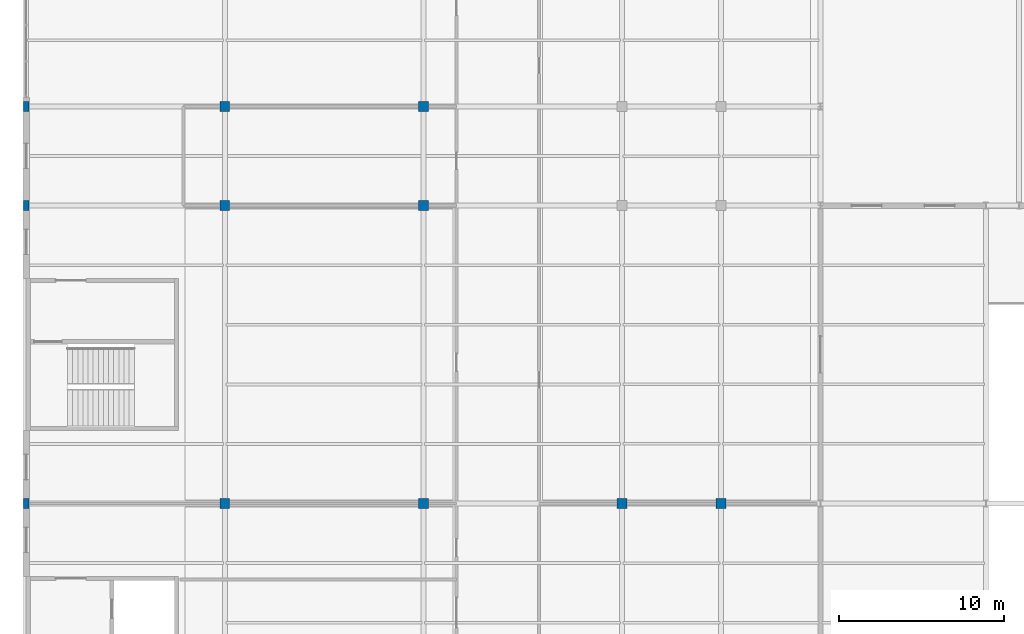
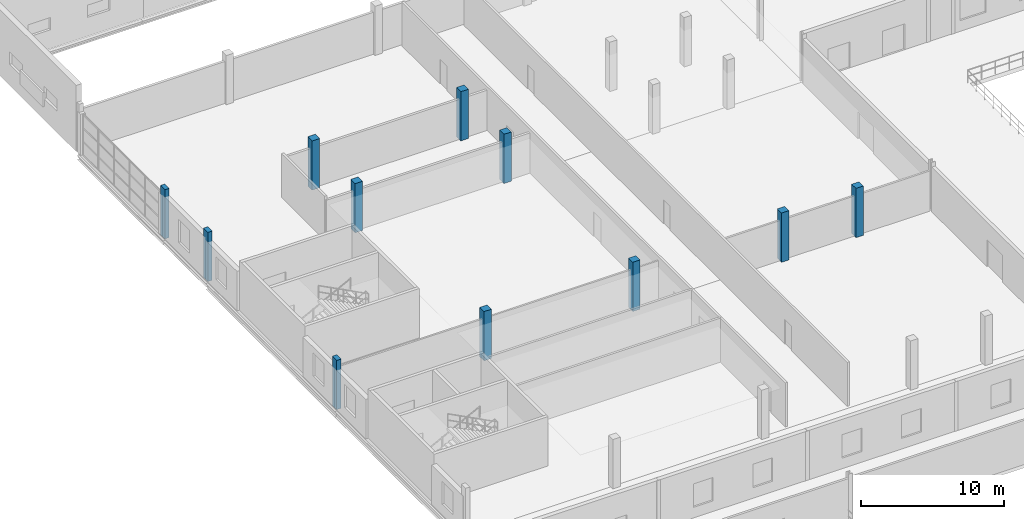
# One storey, part 10 of 147: 11 columns.
"""IFC4 building model written with IfcOpenShell, lengths in metres."""

from ifc_helpers import new_model, si_unit, direction, frame, origin, origin_2d, place, context, subcontext, project, spatial, rectangle, extrude, material, material_profile, profile_set, type_object, element, save


model = new_model("IFC4")

# Units and contexts
model_context = context("Model", 3, precision=1e-05, world=origin(), true_north=direction((0.0, 1.0)))
body_context = subcontext(model_context, "Body", "Model", "MODEL_VIEW")
ifc_project = project(units=[si_unit("LENGTHUNIT", "METRE"), si_unit("AREAUNIT", "SQUARE_METRE"), si_unit("VOLUMEUNIT", "CUBIC_METRE"), si_unit("PLANEANGLEUNIT", "RADIAN"), si_unit("MASSUNIT", "GRAM", prefix="KILO")], contexts=[model_context])

# Site, building, storey
site_placement = place(None, origin())
site = spatial("IfcSite", under=ifc_project, at=site_placement, CompositionType="ELEMENT")
building_placement = place(site_placement, origin())
building = spatial("IfcBuilding", under=site, at=building_placement, Name="Zilviju Railside Exhibition Hall", CompositionType="ELEMENT")
storey_placement = place(building_placement, frame((0.0, 0.0, 8.39990234375)))
storey = spatial("IfcBuildingStorey", under=building, at=storey_placement, Name="L03", CompositionType="ELEMENT", Elevation=8.39990234375)

# Columns
ifc_material = material(Name="Concrete C35/45", Category="concrete")
ifc_material_profile_1 = material_profile(ifc_material, rectangle(XDim=0.60009765625, YDim=0.60009765625, at=origin_2d()), Name="RC COL 600x600")
ifc_profile_set_1 = profile_set([ifc_material_profile_1], Name="Concrete C35/45")
column_type_1 = type_object("IfcColumnType", Name="COL-RC-600", PredefinedType="COLUMN", material=ifc_profile_set_1)
for number, where, z_axis, x_axis, name in (
    (1, (12.0, 102.0, 0.0), (0.0, 0.0, 1.0), (1.0, 0.0, 0.0), "Structural Column L03 (12.0, 102.0)"),
    (2, (24.0, 102.0, 0.0), (0.0, 0.0, 1.0), (1.0, 0.0, 0.0), "Structural Column L03 (24.0, 102.0)"),
    (3, (36.0, 102.0, 0.0), (0.0, 0.0, 1.0), (1.0, 0.0, 0.0), "Structural Column L03 (36.0, 102.0)"),
    (4, (42.0, 102.0, 0.0), (0.0, 0.0, 1.0), (1.0, 0.0, 0.0), "Structural Column L03 (42.0, 102.0)"),
    (5, (12.0, 120.0, 0.0), (0.0, 0.0, 1.0), (1.0, 0.0, 0.0), "Structural Column L03 (12.0, 120.0)"),
    (6, (24.0, 120.0, 0.0), (0.0, 0.0, 1.0), (1.0, 0.0, 0.0), "Structural Column L03 (24.0, 120.0)"),
    (7, (12.0, 126.0, 0.0), (0.0, 0.0, 1.0), (1.0, 0.0, 0.0), "Structural Column L03 (12.0, 126.0)"),
    (8, (24.0, 126.0, 0.0), (0.0, 0.0, 1.0), (1.0, 0.0, 0.0), "Structural Column L03 (24.0, 126.0)"),
):
    element("IfcColumn", number, at=place(storey_placement, frame(where, z_axis=z_axis, x_axis=x_axis)), inside=storey, type_object=column_type_1, Name=name, PredefinedType="COLUMN", context=body_context, shape_type="SweptSolid", body=[
        extrude(rectangle(XDim=0.60009765625, YDim=0.60009765625, at=origin_2d()), origin(), (0.0, 0.0, 1.0), 4.2001953125),
    ])
ifc_material_profile_2 = material_profile(ifc_material, rectangle(XDim=0.35009765625, YDim=0.60009765625, at=origin_2d()), Name="RC COL 350x600")
ifc_profile_set_2 = profile_set([ifc_material_profile_2], Name="Concrete C35/45")
column_type_2 = type_object("IfcColumnType", Name="PIL-RC-600x350", PredefinedType="PILASTER", material=ifc_profile_set_2)
for number, where, z_axis, x_axis, name in (
    (9, (0.0, 102.0, 0.0), (0.0, 0.0, 1.0), (1.0, 0.0, 0.0), "Structural Column L03 (0.0, 102.0)"),
    (10, (0.0, 120.0, 0.0), (0.0, 0.0, 1.0), (1.0, 0.0, 0.0), "Structural Column L03 (0.0, 120.0)"),
    (11, (0.0, 126.0, 0.0), (0.0, 0.0, 1.0), (1.0, 0.0, 0.0), "Structural Column L03 (0.0, 126.0)"),
):
    element("IfcColumn", number, at=place(storey_placement, frame(where, z_axis=z_axis, x_axis=x_axis)), inside=storey, type_object=column_type_2, Name=name, PredefinedType="PILASTER", context=body_context, shape_type="SweptSolid", body=[
        extrude(rectangle(XDim=0.35009765625, YDim=0.60009765625, at=origin_2d()), origin(), (0.0, 0.0, 1.0), 4.2001953125),
    ])

save(model, "model.ifc")
